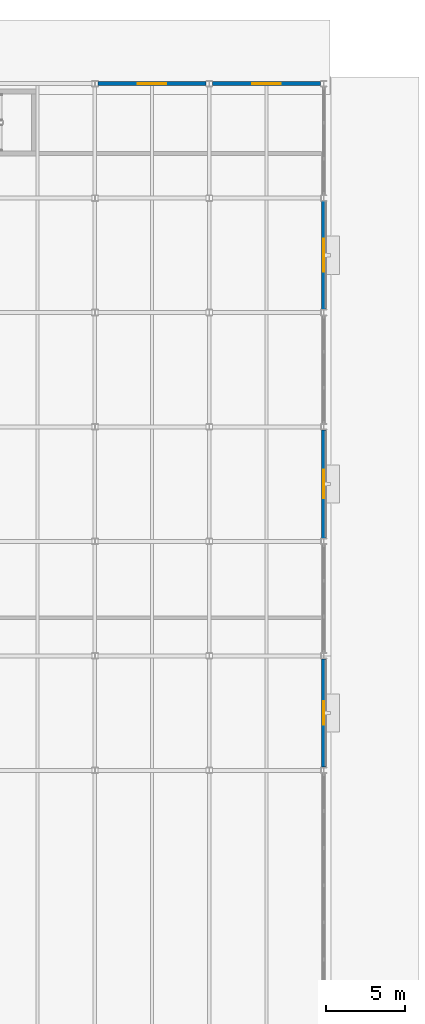
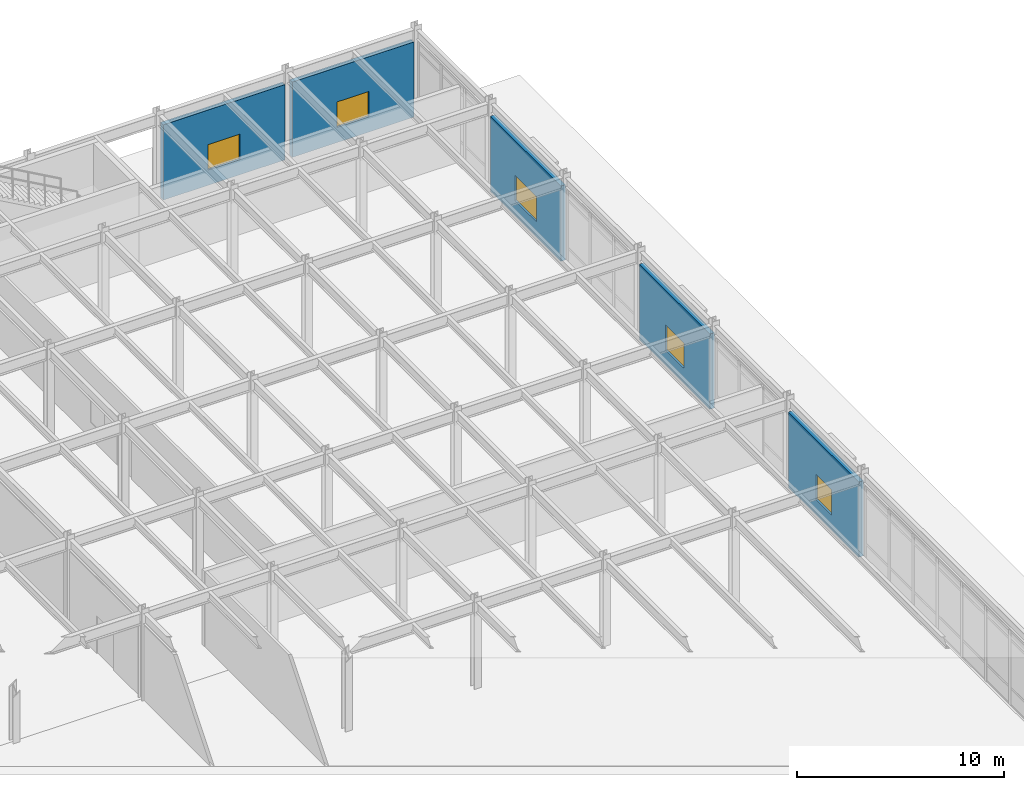
# One storey, part 79 of 104: 5 walls, 5 windows, 5 openings.
"""IFC4 building model written with IfcOpenShell, lengths in metres."""

from ifc_helpers import new_model, si_unit, direction, frame, frame_2d, origin, place, context, subcontext, project, spatial, rectangle, extrude, material, layer, layer_set, type_object, element, fill, save


model = new_model("IFC4")

# Units and contexts
model_context = context("Model", 3, precision=1e-05, world=origin(), true_north=direction((0.0, 1.0)))
body_context = subcontext(model_context, "Body", "Model", "MODEL_VIEW")
ifc_project = project(units=[si_unit("LENGTHUNIT", "METRE"), si_unit("AREAUNIT", "SQUARE_METRE"), si_unit("VOLUMEUNIT", "CUBIC_METRE"), si_unit("PLANEANGLEUNIT", "RADIAN"), si_unit("MASSUNIT", "GRAM", prefix="KILO")], contexts=[model_context])

# Site, building, storey
site_placement = place(None, origin())
site = spatial("IfcSite", under=ifc_project, at=site_placement, CompositionType="ELEMENT")
building_placement = place(site_placement, origin())
building = spatial("IfcBuilding", under=site, at=building_placement, Name="Vaelcorin Mobility Hub", CompositionType="ELEMENT")
storey_placement = place(building_placement, origin())
storey = spatial("IfcBuildingStorey", under=building, at=storey_placement, Name="L00", CompositionType="ELEMENT", Elevation=0.0)

# Wall, opening, window
ifc_material_1 = material(Name="Insulated exterior precast concrete C40/50", Category="concrete")
ifc_layer = layer(ifc_material_1, 0.260009765625)
ifc_layer_set = layer_set([ifc_layer], Name="Insulated exterior precast concrete C40/50")
wall_type = type_object("IfcWallType", Name="WL-EXT-260", PredefinedType="STANDARD", material=ifc_layer_set)
wall_1_placement = place(storey_placement, frame((204.0, 83.80810546875, 0.0), z_axis=(0.0, 0.0, 1.0), x_axis=(0.0, -1.0, 0.0)))
wall_1 = element("IfcWall", 1, at=wall_1_placement, inside=storey, type_object=wall_type, Name="L00 Exterior Wall V5-EW-L00-E-09", PredefinedType="STANDARD", context=body_context, shape_type="SweptSolid", body=[
    extrude(rectangle(XDim=6.816162109375, YDim=0.260009765625, at=frame_2d((3.408203125, 0.0))), origin(), (0.0, 0.0, 1.0), 4.44189453125),
])
opening_1_placement = place(wall_1_placement, frame((2.657958984375, 0.0, 0.89990234375)))
opening_1 = element("IfcOpeningElement", 2, at=opening_1_placement, cuts=wall_1, Name="Opening WN13", PredefinedType="OPENING", context=body_context, shape_type="SweptSolid", body=[
    extrude(rectangle(XDim=1.5, YDim=1.5, at=frame_2d((0.75, 0.75))), frame((0.0, 0.139892578125, 0.0), z_axis=(0.0, -1.0, 0.0), x_axis=(1.0, 0.0, 0.0)), (0.0, 0.0, 1.0), 0.280029296875),
])
ifc_material_2 = material(Name="Double-glazed low-E window unit", Category="glass")
window_type_1 = type_object("IfcWindowType", Name="WIN-1500X1500", PartitioningType="SINGLE_PANEL", PredefinedType="WINDOW", material=ifc_material_2)
window_1_placement = place(opening_1_placement, origin())
window_1 = element("IfcWindow", 3, at=window_1_placement, inside=storey, type_object=window_type_1, Name="L00 Window V5-EW-L00-E-09-WN", OverallHeight=1.5, OverallWidth=1.5, PartitioningType="SINGLE_PANEL", PredefinedType="WINDOW", context=body_context, shape_type="SweptSolid", body=[
    extrude(rectangle(XDim=1.5, YDim=1.5, at=frame_2d((0.75, 0.75))), frame((0.0, 0.030029296875, 0.0), z_axis=(0.0, -1.0, 0.0), x_axis=(1.0, 0.0, 0.0)), (0.0, 0.0, 1.0), 0.06005859375),
])
fill(opening_1, window_1)

wall_2_placement = place(storey_placement, frame((204.0, 98.2080078125, 0.0), z_axis=(0.0, 0.0, 1.0), x_axis=(0.0, -1.0, 0.0)))
wall_2 = element("IfcWall", 4, at=wall_2_placement, inside=storey, type_object=wall_type, Name="L00 Exterior Wall V5-EW-L00-E-11", PredefinedType="STANDARD", context=body_context, shape_type="SweptSolid", body=[
    extrude(rectangle(XDim=6.81591796875, YDim=0.260009765625, at=frame_2d((3.407958984375, 0.0))), origin(), (0.0, 0.0, 1.0), 4.44189453125),
])
opening_2_placement = place(wall_2_placement, frame((2.508056640625, 0.0, 0.89990234375)))
opening_2 = element("IfcOpeningElement", 5, at=opening_2_placement, cuts=wall_2, Name="Opening WN12", PredefinedType="OPENING", context=body_context, shape_type="SweptSolid", body=[
    extrude(rectangle(XDim=1.800048828125, YDim=1.5, at=frame_2d((0.89990234375, 0.75))), frame((0.0, 0.139892578125, 0.0), z_axis=(0.0, -1.0, 0.0), x_axis=(1.0, 0.0, 0.0)), (0.0, 0.0, 1.0), 0.280029296875),
])
window_type_2 = type_object("IfcWindowType", Name="WIN-1800X1500", PartitioningType="SINGLE_PANEL", PredefinedType="WINDOW", material=ifc_material_2)
window_2_placement = place(opening_2_placement, origin())
window_2 = element("IfcWindow", 6, at=window_2_placement, inside=storey, type_object=window_type_2, Name="L00 Window V5-EW-L00-E-11-WN", OverallHeight=1.5, OverallWidth=1.800048828125, PartitioningType="SINGLE_PANEL", PredefinedType="WINDOW", context=body_context, shape_type="SweptSolid", body=[
    extrude(rectangle(XDim=1.800048828125, YDim=1.5, at=frame_2d((0.89990234375, 0.75))), frame((0.0, 0.030029296875, 0.0), z_axis=(0.0, -1.0, 0.0), x_axis=(1.0, 0.0, 0.0)), (0.0, 0.0, 1.0), 0.06005859375),
])
fill(opening_2, window_2)

wall_3_placement = place(storey_placement, frame((204.0, 112.60791015625, 0.0), z_axis=(0.0, 0.0, 1.0), x_axis=(0.0, -1.0, 0.0)))
wall_3 = element("IfcWall", 7, at=wall_3_placement, inside=storey, type_object=wall_type, Name="L00 Exterior Wall V5-EW-L00-E-13", PredefinedType="STANDARD", context=body_context, shape_type="SweptSolid", body=[
    extrude(rectangle(XDim=6.81591796875, YDim=0.260009765625, at=frame_2d((3.407958984375, 0.0))), origin(), (0.0, 0.0, 1.0), 4.44189453125),
])
opening_3_placement = place(wall_3_placement, frame((2.35791015625, 0.0, 0.89990234375)))
opening_3 = element("IfcOpeningElement", 8, at=opening_3_placement, cuts=wall_3, Name="Opening WN19", PredefinedType="OPENING", context=body_context, shape_type="SweptSolid", body=[
    extrude(rectangle(XDim=2.10009765625, YDim=1.5, at=frame_2d((1.050048828125, 0.75))), frame((0.0, 0.139892578125, 0.0), z_axis=(0.0, -1.0, 0.0), x_axis=(1.0, 0.0, 0.0)), (0.0, 0.0, 1.0), 0.280029296875),
])
window_type_3 = type_object("IfcWindowType", Name="WIN-2100X1500", PartitioningType="SINGLE_PANEL", PredefinedType="WINDOW", material=ifc_material_2)
window_3_placement = place(opening_3_placement, origin())
window_3 = element("IfcWindow", 9, at=window_3_placement, inside=storey, type_object=window_type_3, Name="L00 Window V5-EW-L00-E-13-WN", OverallHeight=1.5, OverallWidth=2.10009765625, PartitioningType="SINGLE_PANEL", PredefinedType="WINDOW", context=body_context, shape_type="SweptSolid", body=[
    extrude(rectangle(XDim=2.10009765625, YDim=1.5, at=frame_2d((1.050048828125, 0.75))), frame((0.0, 0.030029296875, 0.0), z_axis=(0.0, -1.0, 0.0), x_axis=(1.0, 0.0, 0.0)), (0.0, 0.0, 1.0), 0.06005859375),
])
fill(opening_3, window_3)

wall_4_placement = place(storey_placement, frame((189.804931640625, 120.0, 0.0), z_axis=(0.0, 0.0, 1.0), x_axis=(1.0, 0.0, 0.0)))
wall_4 = element("IfcWall", 10, at=wall_4_placement, inside=storey, type_object=wall_type, Name="L00 Exterior Wall V5-EW-L00-N-06", PredefinedType="STANDARD", context=body_context, shape_type="SweptSolid", body=[
    extrude(rectangle(XDim=6.7900390625, YDim=0.260009765625, at=frame_2d((3.39501953125, 0.0))), origin(), (0.0, 0.0, 1.0), 4.44189453125),
])
opening_4_placement = place(wall_4_placement, frame((2.4951171875, 0.0, 0.89990234375)))
opening_4 = element("IfcOpeningElement", 11, at=opening_4_placement, cuts=wall_4, Name="Opening WN12", PredefinedType="OPENING", context=body_context, shape_type="SweptSolid", body=[
    extrude(rectangle(XDim=1.800048828125, YDim=1.5, at=frame_2d((0.89990234375, 0.75))), frame((0.0, 0.139892578125, 0.0), z_axis=(0.0, -1.0, 0.0), x_axis=(1.0, 0.0, 0.0)), (0.0, 0.0, 1.0), 0.280029296875),
])
window_4_placement = place(opening_4_placement, origin())
window_4 = element("IfcWindow", 12, at=window_4_placement, inside=storey, type_object=window_type_2, Name="L00 Window V5-EW-L00-N-06-WN", OverallHeight=1.5, OverallWidth=1.800048828125, PartitioningType="SINGLE_PANEL", PredefinedType="WINDOW", context=body_context, shape_type="SweptSolid", body=[
    extrude(rectangle(XDim=1.800048828125, YDim=1.5, at=frame_2d((0.89990234375, 0.75))), frame((0.0, 0.030029296875, 0.0), z_axis=(0.0, -1.0, 0.0), x_axis=(1.0, 0.0, 0.0)), (0.0, 0.0, 1.0), 0.06005859375),
])
fill(opening_4, window_4)

wall_5_placement = place(storey_placement, frame((197.0048828125, 120.0, 0.0), z_axis=(0.0, 0.0, 1.0), x_axis=(1.0, 0.0, 0.0)))
wall_5 = element("IfcWall", 13, at=wall_5_placement, inside=storey, type_object=wall_type, Name="L00 Exterior Wall V5-EW-L00-N-07", PredefinedType="STANDARD", context=body_context, shape_type="SweptSolid", body=[
    extrude(rectangle(XDim=6.7900390625, YDim=0.260009765625, at=frame_2d((3.39501953125, 0.0))), origin(), (0.0, 0.0, 1.0), 4.44189453125),
])
opening_5_placement = place(wall_5_placement, frame((2.4951171875, 0.0, 0.89990234375)))
opening_5 = element("IfcOpeningElement", 14, at=opening_5_placement, cuts=wall_5, Name="Opening WN12", PredefinedType="OPENING", context=body_context, shape_type="SweptSolid", body=[
    extrude(rectangle(XDim=1.800048828125, YDim=1.5, at=frame_2d((0.89990234375, 0.75))), frame((0.0, 0.139892578125, 0.0), z_axis=(0.0, -1.0, 0.0), x_axis=(1.0, 0.0, 0.0)), (0.0, 0.0, 1.0), 0.280029296875),
])
window_5_placement = place(opening_5_placement, origin())
window_5 = element("IfcWindow", 15, at=window_5_placement, inside=storey, type_object=window_type_2, Name="L00 Window V5-EW-L00-N-07-WN", OverallHeight=1.5, OverallWidth=1.800048828125, PartitioningType="SINGLE_PANEL", PredefinedType="WINDOW", context=body_context, shape_type="SweptSolid", body=[
    extrude(rectangle(XDim=1.800048828125, YDim=1.5, at=frame_2d((0.89990234375, 0.75))), frame((0.0, 0.030029296875, 0.0), z_axis=(0.0, -1.0, 0.0), x_axis=(1.0, 0.0, 0.0)), (0.0, 0.0, 1.0), 0.06005859375),
])
fill(opening_5, window_5)

save(model, "model.ifc")
